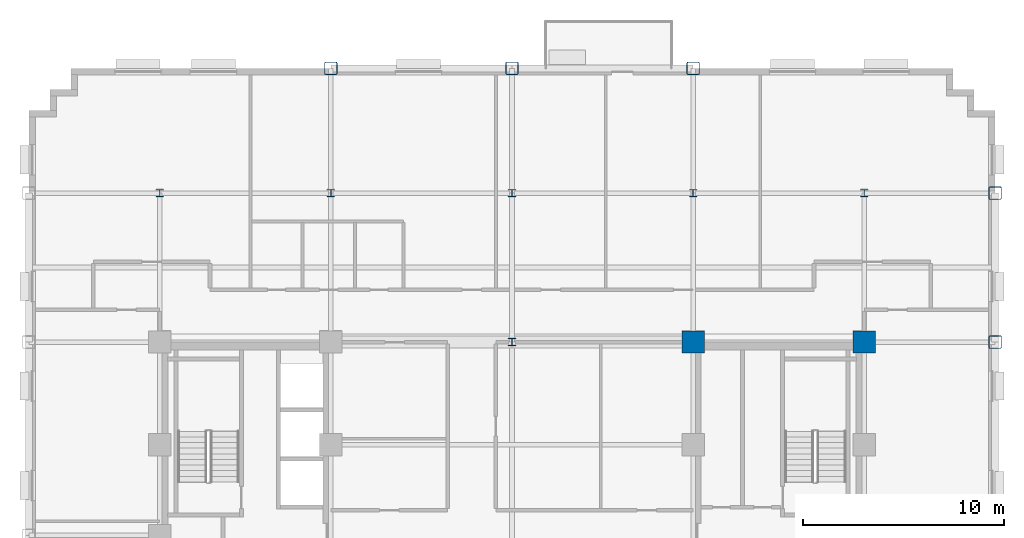
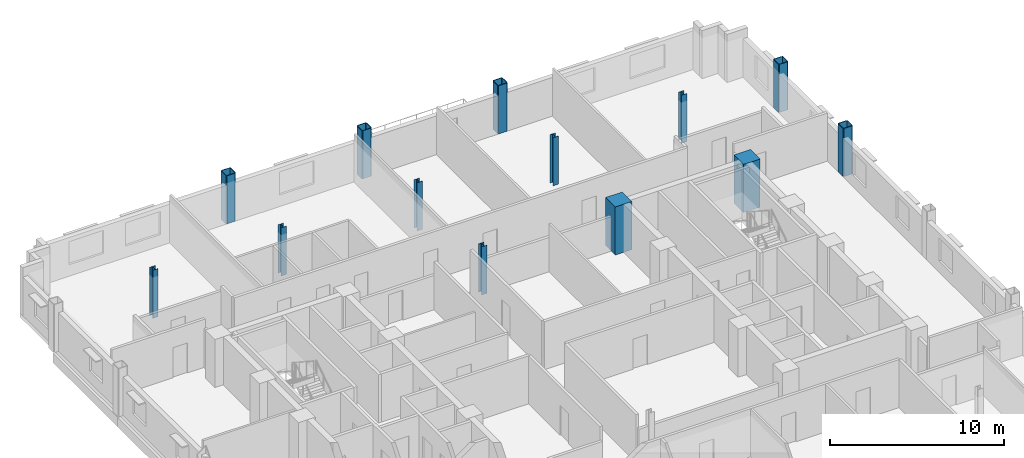
# One storey, part 3 of 14: 13 columns.
"""IFC4 building model written with IfcOpenShell, lengths in metres."""

from ifc_helpers import new_model, si_unit, direction, frame, origin, origin_2d, place, context, subcontext, project, spatial, rectangle, hollow_rectangle, i_section, extrude, material, material_profile, profile_set, type_object, element, save


model = new_model("IFC4")

# Units and contexts
model_context = context("Model", 3, precision=1e-05, world=origin(), true_north=direction((0.0, 1.0)))
body_context = subcontext(model_context, "Body", "Model", "MODEL_VIEW")
ifc_project = project(units=[si_unit("LENGTHUNIT", "METRE"), si_unit("AREAUNIT", "SQUARE_METRE"), si_unit("VOLUMEUNIT", "CUBIC_METRE"), si_unit("PLANEANGLEUNIT", "RADIAN"), si_unit("MASSUNIT", "GRAM", prefix="KILO")], contexts=[model_context])

# Site, building, storey
site_placement = place(None, origin())
site = spatial("IfcSite", under=ifc_project, at=site_placement, CompositionType="ELEMENT")
building_placement = place(site_placement, origin())
building = spatial("IfcBuilding", under=site, at=building_placement, Name="Nuvemarco Arch Tower", CompositionType="ELEMENT")
storey_placement = place(building_placement, frame((0.0, 0.0, 98.300048828125)))
storey = spatial("IfcBuildingStorey", under=building, at=storey_placement, Name="L25", CompositionType="ELEMENT", Elevation=98.300048828125)

# Columns
ifc_material_1 = material(Name="Concrete C60/75", Category="concrete")
ifc_material_profile_1 = material_profile(ifc_material_1, rectangle(XDim=1.10009765625, YDim=1.10009765625, at=origin_2d()), Name="RC-COL-1100x1100")
ifc_profile_set_1 = profile_set([ifc_material_profile_1], Name="Concrete C60/75")
column_type_1 = type_object("IfcColumnType", Name="COL-CORE-1100", PredefinedType="COLUMN", material=ifc_profile_set_1)
for number, where, z_axis, x_axis, name in (
    (1, (9.0, 9.60009765625, 0.0), (0.0, 0.0, 1.0), (1.0, 0.0, 0.0), "L25 column CC_+9.0_+9.6"),
    (2, (17.5, 9.60009765625, 0.0), (0.0, 0.0, 1.0), (1.0, 0.0, 0.0), "L25 column CC_+17.5_+9.6"),
):
    element("IfcColumn", number, at=place(storey_placement, frame(where, z_axis=z_axis, x_axis=x_axis)), inside=storey, type_object=column_type_1, Name=name, PredefinedType="COLUMN", context=body_context, shape_type="SweptSolid", body=[
        extrude(rectangle(XDim=1.10009765625, YDim=1.10009765625, at=origin_2d()), origin(), (0.0, 0.0, 1.0), 3.369873046875),
    ])
ifc_material_2 = material(Name="Steel S355", Category="steel")
ifc_material_profile_2 = material_profile(ifc_material_2, hollow_rectangle(XDim=0.64990234375, YDim=0.64990234375, WallThickness=0.0400390625, InnerFilletRadius=0.0400390625, OuterFilletRadius=0.080078125, at=origin_2d()), Name="SHS650x650x40")
ifc_profile_set_2 = profile_set([ifc_material_profile_2], Name="Steel S355")
column_type_2 = type_object("IfcColumnType", Name="COL-EXO-650", PredefinedType="COLUMN", material=ifc_profile_set_2)
for number, where, z_axis, x_axis, name in (
    (3, (24.0, 9.60009765625, 0.0), (0.0, 0.0, 1.0), (1.0, 0.0, 0.0), "L25 column CX_+24.0_+9.6"),
    (4, (24.0, 17.0, 0.0), (0.0, 0.0, 1.0), (1.0, 0.0, 0.0), "L25 column CX_+24.0_+17.0"),
    (5, (-9.0, 23.199951171875, 0.0), (0.0, 0.0, 1.0), (1.0, 0.0, 0.0), "L25 column CY_-9.0_+23.2"),
    (6, (0.0, 23.199951171875, 0.0), (0.0, 0.0, 1.0), (1.0, 0.0, 0.0), "L25 column CY_+0.0_+23.2"),
    (7, (9.0, 23.199951171875, 0.0), (0.0, 0.0, 1.0), (1.0, 0.0, 0.0), "L25 column CY_+9.0_+23.2"),
):
    element("IfcColumn", number, at=place(storey_placement, frame(where, z_axis=z_axis, x_axis=x_axis)), inside=storey, type_object=column_type_2, Name=name, PredefinedType="COLUMN", context=body_context, shape_type="SweptSolid", body=[
        extrude(hollow_rectangle(XDim=0.64990234375, YDim=0.64990234375, WallThickness=0.0400390625, InnerFilletRadius=0.0400390625, OuterFilletRadius=0.080078125, at=origin_2d()), origin(), (0.0, 0.0, 1.0), 3.369873046875),
    ])
ifc_material_profile_3 = material_profile(ifc_material_2, i_section(OverallWidth=0.360107421875, OverallDepth=0.360107421875, WebThickness=0.0205078125, FlangeThickness=0.0205078125, FilletRadius=0.01806640625, at=origin_2d()), Name="HP360x174")
ifc_profile_set_3 = profile_set([ifc_material_profile_3], Name="Steel S355")
column_type_3 = type_object("IfcColumnType", Name="COL-STL-HP360", PredefinedType="COLUMN", material=ifc_profile_set_3)
for number, where, z_axis, x_axis, name in (
    (8, (0.0, 9.60009765625, 0.0), (0.0, 0.0, 1.0), (1.0, 0.0, 0.0), "L25 column CI_+0.0_+9.6"),
    (9, (0.0, 17.0, 0.0), (0.0, 0.0, 1.0), (1.0, 0.0, 0.0), "L25 column CI_+0.0_+17.0"),
    (10, (-17.5, 17.0, 0.0), (0.0, 0.0, 1.0), (1.0, 0.0, 0.0), "L25 column CI_-17.5_+17.0"),
    (11, (-9.0, 17.0, 0.0), (0.0, 0.0, 1.0), (1.0, 0.0, 0.0), "L25 column CI_-9.0_+17.0"),
    (12, (9.0, 17.0, 0.0), (0.0, 0.0, 1.0), (1.0, 0.0, 0.0), "L25 column CI_+9.0_+17.0"),
    (13, (17.5, 17.0, 0.0), (0.0, 0.0, 1.0), (1.0, 0.0, 0.0), "L25 column CI_+17.5_+17.0"),
):
    element("IfcColumn", number, at=place(storey_placement, frame(where, z_axis=z_axis, x_axis=x_axis)), inside=storey, type_object=column_type_3, Name=name, PredefinedType="COLUMN", context=body_context, shape_type="SweptSolid", body=[
        extrude(i_section(OverallWidth=0.360107421875, OverallDepth=0.360107421875, WebThickness=0.0205078125, FlangeThickness=0.0205078125, FilletRadius=0.01806640625, at=origin_2d()), origin(), (0.0, 0.0, 1.0), 3.369873046875),
    ])

save(model, "model.ifc")
